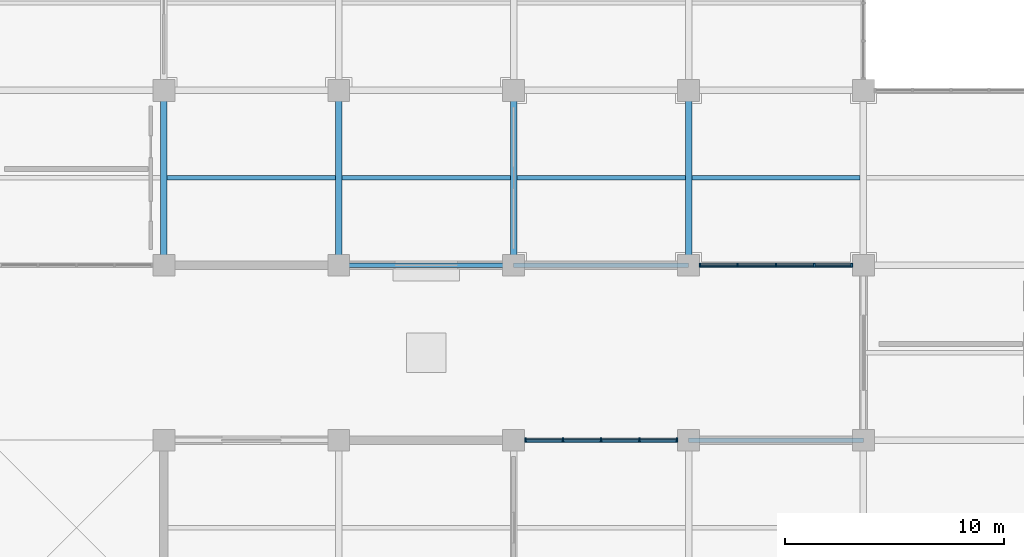
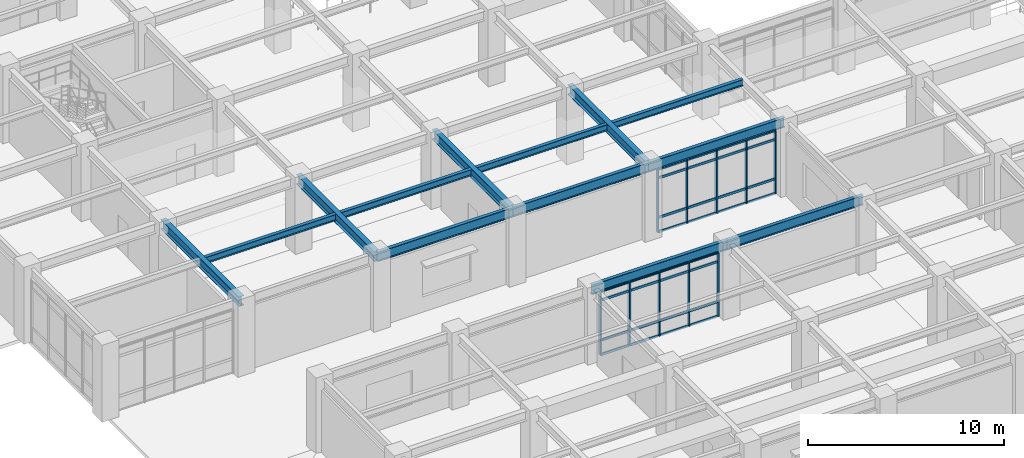
# One storey, part 9 of 117: 42 members, 13 beams, 2 elements without a shape of their own.
"""IFC4 building model written with IfcOpenShell, lengths in metres."""

import ifcopenshell
import ifcopenshell.guid

model = None  # the IFC model being written
_history = None  # IfcOwnerHistory: only IFC2X3 demands one
_inside = {}  # id of a spatial element -> (the spatial element, [elements in it])
_under = {}  # id of a project, library or spatial element -> (it, [spatial elements below it])
_declared = {}  # id of a project -> (the project, [libraries it declares])
_typed = {}  # id of a type object -> (the type object, [elements of that type])
_made_of = {}  # id of a material, layer set ... -> (it, [elements and type objects made of it])


def new_model(schema):
    """Start an empty IFC model of exactly this schema.

    Asked for "IFC4X3", IfcOpenShell would pick the latest addendum, in which some entities
    have other attributes; the version numbers below select the first issue.
    IFC2X3 requires an IfcOwnerHistory on every rooted entity: one is made here for all.
    """
    global model, _history
    if schema == "IFC4X3":
        model = ifcopenshell.file(schema_version=(4, 3, 0, 0))
    else:
        model = ifcopenshell.file(schema=schema)
    _inside.clear()
    _under.clear()
    _declared.clear()
    _typed.clear()
    _made_of.clear()
    _history = None
    if model.schema == "IFC2X3":
        org = make("IfcOrganization", Name="unknown")
        user = make(
            "IfcPersonAndOrganization",
            ThePerson=make("IfcPerson", FamilyName="unknown"),
            TheOrganization=org,
        )
        app = make(
            "IfcApplication",
            ApplicationDeveloper=org,
            Version="unknown",
            ApplicationFullName="unknown",
            ApplicationIdentifier="unknown",
        )
        _history = make(
            "IfcOwnerHistory",
            OwningUser=user,
            OwningApplication=app,
            ChangeAction="ADDED",
            CreationDate=0,
        )
    return model


def make(cls, **values):
    """One entity of the class cls with the attributes given. An attribute that is None is left unset."""
    return model.create_entity(
        cls, **{name: value for name, value in values.items() if value is not None}
    )


def rooted(cls, **values):
    """An entity with a GlobalId (a new one), such as an element, a storey or a relation."""
    return make(cls, GlobalId=ifcopenshell.guid.new(), OwnerHistory=_history, **values)


def si_unit(unit_type, name, prefix=None):
    """IfcSIUnit, for example si_unit("LENGTHUNIT", "METRE", prefix="MILLI")."""
    return make("IfcSIUnit", UnitType=unit_type, Prefix=prefix, Name=name)


def assignment(units):
    """IfcUnitAssignment: the units of a project."""
    return None if units is None else make("IfcUnitAssignment", Units=units)


def point(xyz):
    """IfcCartesianPoint."""
    return None if xyz is None else make("IfcCartesianPoint", Coordinates=xyz)


def direction(xyz):
    """IfcDirection."""
    return None if xyz is None else make("IfcDirection", DirectionRatios=xyz)


def frame(location, z_axis=None, x_axis=None):
    """IfcAxis2Placement3D, a coordinate frame: its origin and axes. An axis left out is left unset."""
    return make(
        "IfcAxis2Placement3D",
        Location=point(location),
        Axis=direction(z_axis),
        RefDirection=direction(x_axis),
    )


def frame_2d(location, x_axis=None):
    """IfcAxis2Placement2D, a coordinate frame in the plane: its origin and x axis."""
    return make(
        "IfcAxis2Placement2D", Location=point(location), RefDirection=direction(x_axis)
    )


def origin():
    """The frame at (0, 0, 0) with its axes left unset."""
    return frame((0.0, 0.0, 0.0))


def origin_2d():
    """The frame at (0, 0) in the plane with its x axis left unset."""
    return frame_2d((0.0, 0.0))


def place(relative_to, where):
    """IfcLocalPlacement: puts the frame where relative to a parent placement (None: the world)."""
    return make(
        "IfcLocalPlacement", PlacementRelTo=relative_to, RelativePlacement=where
    )


def context(
    kind, dimensions, precision=None, world=None, true_north=None, identifier=None
):
    """IfcGeometricRepresentationContext, for example the 3D "Model" context."""
    return make(
        "IfcGeometricRepresentationContext",
        ContextIdentifier=identifier,
        ContextType=kind,
        CoordinateSpaceDimension=dimensions,
        Precision=precision,
        WorldCoordinateSystem=world,
        TrueNorth=true_north,
    )


def subcontext(parent, identifier, kind, view, scale=None):
    """IfcGeometricRepresentationSubContext, for example "Body" below "Model"."""
    return make(
        "IfcGeometricRepresentationSubContext",
        ContextIdentifier=identifier,
        ContextType=kind,
        ParentContext=parent,
        TargetScale=scale,
        TargetView=view,
    )


def project(units=None, contexts=None):
    """IfcProject with its units and contexts."""
    return rooted(
        "IfcProject",
        Name="project",
        RepresentationContexts=contexts,
        UnitsInContext=assignment(units),
    )


def spatial(cls, under=None, at=None, **own):
    """A site, building, storey or space (cls), placed at a placement, below another one or the project."""
    s = rooted(cls, ObjectPlacement=at, **own)
    if under is not None:
        _under.setdefault(under.id(), (under, []))[1].append(s)
    return s


def profile(cls, at=None, kind="AREA", **sizes):
    """A parametric profile (cls). Its sizes go by their IFC names, for example OverallWidth=200.0."""
    return make(cls, ProfileType=kind, Position=at, **sizes)


def rectangle(**sizes):
    """IfcRectangleProfileDef."""
    return profile("IfcRectangleProfileDef", **sizes)


def i_section(**sizes):
    """IfcIShapeProfileDef."""
    return profile("IfcIShapeProfileDef", **sizes)


def extrude(swept, where, along, depth):
    """IfcExtrudedAreaSolid: the profile swept, set in the frame where, extruded along a direction by depth."""
    return make(
        "IfcExtrudedAreaSolid",
        SweptArea=swept,
        Position=where,
        ExtrudedDirection=direction(along),
        Depth=depth,
    )


def shape(context_of_items, identifier, shape_type, items):
    """IfcShapeRepresentation: the items that make up one representation, for example the "Body"."""
    return make(
        "IfcShapeRepresentation",
        ContextOfItems=context_of_items,
        RepresentationIdentifier=identifier,
        RepresentationType=shape_type,
        Items=items,
    )


def material(Name=None, Category=None):
    """IfcMaterial."""
    return make("IfcMaterial", Name=Name, Category=Category)


def layer(
    of_material, thickness, ventilated=None, Name=None, Category=None, Priority=None
):
    """IfcMaterialLayer: one layer of a wall or slab, of a material (None: an air gap)."""
    return make(
        "IfcMaterialLayer",
        Material=of_material,
        LayerThickness=thickness,
        IsVentilated=ventilated,
        Name=Name,
        Category=Category,
        Priority=Priority,
    )


def layer_set(layers, Name=None):
    """IfcMaterialLayerSet."""
    return make("IfcMaterialLayerSet", MaterialLayers=layers, LayerSetName=Name)


def material_profile(
    of_material, cross_section, Name=None, Category=None, Priority=None
):
    """IfcMaterialProfile: a cross section and its material."""
    return make(
        "IfcMaterialProfile",
        Name=Name,
        Material=of_material,
        Profile=cross_section,
        Priority=Priority,
        Category=Category,
    )


def profile_set(profiles, Name=None, composite=None):
    """IfcMaterialProfileSet."""
    return make(
        "IfcMaterialProfileSet",
        Name=Name,
        MaterialProfiles=profiles,
        CompositeProfile=composite,
    )


def made_of(thing, what):
    """Note that an element or type object is made of a material, layer set ...; save() writes the relation."""
    if what is not None:
        _made_of.setdefault(what.id(), (what, []))[1].append(thing)
    return thing


def type_object(cls, material=None, **own):
    """A type object (cls), such as IfcWallType, which elements share."""
    return made_of(rooted(cls, **own), material)


def element(
    cls,
    number,
    at=None,
    inside=None,
    cuts=None,
    type_object=None,
    material=None,
    context=None,
    identifier="Body",
    shape_type=None,
    held_by="IfcProductDefinitionShape",
    body=None,
    shapes=None,
    **own,
):
    """One element of the class cls, such as IfcWall. Its Tag is "e" and its number.

    at: its placement. inside: the storey or other place that contains it. cuts: it is an
    opening in that element (IfcRelVoidsElement). A single representation is given by context,
    identifier, shape_type and body (its items); several are given by shapes. held_by: the class
    of the entity that holds the representations. save() writes the other relations.
    """
    e = rooted(cls, Tag="e%d" % number, ObjectPlacement=at, **own)
    if body is not None:
        shapes = [shape(context, identifier, shape_type, body)]
    if shapes is not None:
        e.Representation = make(held_by, Representations=shapes)
    if inside is not None:
        _inside.setdefault(inside.id(), (inside, []))[1].append(e)
    if cuts is not None:
        rooted(
            "IfcRelVoidsElement", RelatingBuildingElement=cuts, RelatedOpeningElement=e
        )
    if type_object is not None:
        _typed.setdefault(type_object.id(), (type_object, []))[1].append(e)
    return made_of(e, material)


def aggregate(whole, parts):
    """IfcRelAggregates: a whole, such as a stair, and the parts it consists of."""
    return rooted("IfcRelAggregates", RelatingObject=whole, RelatedObjects=parts)


def save(model, path):
    """Write the relations noted so far, then the file.

    IfcRelAggregates (storeys below a building ...), IfcRelContainedInSpatialStructure (elements
    in a storey), IfcRelDefinesByType, IfcRelAssociatesMaterial and IfcRelDeclares: one each for
    every whole, place, type object, material and project.
    """
    for whole, parts in _under.values():
        aggregate(whole, parts)
    for where, things in _inside.values():
        rooted(
            "IfcRelContainedInSpatialStructure",
            RelatedElements=things,
            RelatingStructure=where,
        )
    for kind, things in _typed.values():
        rooted("IfcRelDefinesByType", RelatedObjects=things, RelatingType=kind)
    for what, things in _made_of.values():
        rooted("IfcRelAssociatesMaterial", RelatedObjects=things, RelatingMaterial=what)
    for by, libraries in _declared.values():
        rooted("IfcRelDeclares", RelatingContext=by, RelatedDefinitions=libraries)
    model.write(path)


model = new_model("IFC4")

# Units and contexts
model_context = context("Model", 3, precision=1e-05, world=origin(), true_north=direction((0.0, 1.0)))
body_context = subcontext(model_context, "Body", "Model", "MODEL_VIEW")
ifc_project = project(units=[si_unit("LENGTHUNIT", "METRE"), si_unit("AREAUNIT", "SQUARE_METRE"), si_unit("VOLUMEUNIT", "CUBIC_METRE"), si_unit("PLANEANGLEUNIT", "RADIAN"), si_unit("MASSUNIT", "GRAM", prefix="KILO")], contexts=[model_context])

# Site, building, storey
site_placement = place(None, origin())
site = spatial("IfcSite", under=ifc_project, at=site_placement, CompositionType="ELEMENT")
building_placement = place(site_placement, origin())
building = spatial("IfcBuilding", under=site, at=building_placement, Name="Haebicheon Civic Stadium", CompositionType="ELEMENT")
storey_placement = place(building_placement, frame((0.0, 0.0, 4.800048828125)))
storey = spatial("IfcBuildingStorey", under=building, at=storey_placement, Name="L02", CompositionType="ELEMENT", Elevation=4.800048828125)

# Beams
ifc_material_1 = material(Name="Steel SM355 (S355)", Category="steel")
ifc_material_profile_1 = material_profile(ifc_material_1, i_section(OverallWidth=0.300048828125, OverallDepth=0.60009765625, WebThickness=0.011962890625, FlangeThickness=0.02001953125, at=origin_2d()), Name="H-600x300x12x20")
ifc_profile_set_1 = profile_set([ifc_material_profile_1], Name="Steel SM355 (S355)")
beam_type_1 = type_object("IfcBeamType", Name="BM-ST-H600A", PredefinedType="BEAM", material=ifc_profile_set_1)
for number, where, z_axis, x_axis, name in (
    (1, (32.0, 24.0, 4.280029296875), (0.0, 1.0, 0.0), (-1.0, 0.0, 0.0), "L02 girder 5/D-E"),
    (2, (40.0, 24.0, 4.280029296875), (0.0, 1.0, 0.0), (-1.0, 0.0, 0.0), "L02 girder 6/D-E"),
    (3, (48.0, 24.0, 4.280029296875), (0.0, 1.0, 0.0), (-1.0, 0.0, 0.0), "L02 girder 7/D-E"),
    (4, (56.0, 24.0, 4.280029296875), (0.0, 1.0, 0.0), (-1.0, 0.0, 0.0), "L02 girder 8/D-E"),
):
    element("IfcBeam", number, at=place(storey_placement, frame(where, z_axis=z_axis, x_axis=x_axis)), inside=storey, type_object=beam_type_1, material=ifc_profile_set_1, Name=name, PredefinedType="BEAM", context=body_context, shape_type="SweptSolid", body=[
        extrude(i_section(OverallWidth=0.300048828125, OverallDepth=0.60009765625, WebThickness=0.011962890625, FlangeThickness=0.02001953125, at=origin_2d()), origin(), (0.0, 0.0, 1.0), 8.0),
    ])

# Curtain wall, members
ifc_material_2 = material(Name="Anodised aluminium and laminated glass", Category="aluminium")
ifc_layer_1 = layer(ifc_material_2, 0.179931640625, Name="Anodised aluminium and laminated glass")
ifc_layer_set_1 = layer_set([ifc_layer_1], Name="Anodised aluminium and laminated glass")
curtain_wall_type_1 = type_object("IfcCurtainWallType", Name="CW-7000x3950", PredefinedType="NOTDEFINED", material=ifc_layer_set_1)
curtain_wall_1_placement = place(storey_placement, origin())
curtain_wall_1 = element("IfcCurtainWall", 5, at=curtain_wall_1_placement, inside=storey, type_object=curtain_wall_type_1, material=ifc_layer_set_1, Name="L02 unitised curtain wall 041", PredefinedType="NOTDEFINED")
ifc_material_3 = material(Name="Anodised aluminium 6063-T6", Category="aluminium")
ifc_material_profile_2 = material_profile(ifc_material_3, rectangle(XDim=0.070068359375, YDim=0.199951171875, at=origin_2d()), Name="ALU-MULL-70x200")
ifc_profile_set_2 = profile_set([ifc_material_profile_2], Name="Anodised aluminium 6063-T6")
member_type_1 = type_object("IfcMemberType", Name="CWM-200x70", PredefinedType="MULLION", material=ifc_profile_set_2)
member_1_placement = place(storey_placement, frame((48.534912109375, 16.0, 0.0), z_axis=(0.0, 0.0, 1.0), x_axis=(1.0, 0.0, 0.0)))
member_1 = element("IfcMember", 6, at=member_1_placement, type_object=member_type_1, material=ifc_profile_set_2, Name="CW-L02-041 vertical mullion 1", PredefinedType="MULLION", context=body_context, shape_type="SweptSolid", body=[
    extrude(rectangle(XDim=0.070068359375, YDim=0.199951171875, at=origin_2d()), origin(), (0.0, 0.0, 1.0), 3.949951171875),
])
member_2_placement = place(storey_placement, frame((50.25, 16.0, 0.0), z_axis=(0.0, 0.0, 1.0), x_axis=(1.0, 0.0, 0.0)))
member_2 = element("IfcMember", 7, at=member_2_placement, type_object=member_type_1, material=ifc_profile_set_2, Name="CW-L02-041 vertical mullion 2", PredefinedType="MULLION", context=body_context, shape_type="SweptSolid", body=[
    extrude(rectangle(XDim=0.070068359375, YDim=0.199951171875, at=origin_2d()), origin(), (0.0, 0.0, 1.0), 3.949951171875),
])
member_3_placement = place(storey_placement, frame((52.0, 16.0, 0.0), z_axis=(0.0, 0.0, 1.0), x_axis=(1.0, 0.0, 0.0)))
member_3 = element("IfcMember", 8, at=member_3_placement, type_object=member_type_1, material=ifc_profile_set_2, Name="CW-L02-041 vertical mullion 3", PredefinedType="MULLION", context=body_context, shape_type="SweptSolid", body=[
    extrude(rectangle(XDim=0.070068359375, YDim=0.199951171875, at=origin_2d()), origin(), (0.0, 0.0, 1.0), 3.949951171875),
])
member_4_placement = place(storey_placement, frame((53.75, 16.0, 0.0), z_axis=(0.0, 0.0, 1.0), x_axis=(1.0, 0.0, 0.0)))
member_4 = element("IfcMember", 9, at=member_4_placement, type_object=member_type_1, material=ifc_profile_set_2, Name="CW-L02-041 vertical mullion 4", PredefinedType="MULLION", context=body_context, shape_type="SweptSolid", body=[
    extrude(rectangle(XDim=0.070068359375, YDim=0.199951171875, at=origin_2d()), origin(), (0.0, 0.0, 1.0), 3.949951171875),
])
member_5_placement = place(storey_placement, frame((55.465087890625, 16.0, 0.0), z_axis=(0.0, 0.0, 1.0), x_axis=(1.0, 0.0, 0.0)))
member_5 = element("IfcMember", 10, at=member_5_placement, type_object=member_type_1, material=ifc_profile_set_2, Name="CW-L02-041 vertical mullion 5", PredefinedType="MULLION", context=body_context, shape_type="SweptSolid", body=[
    extrude(rectangle(XDim=0.070068359375, YDim=0.199951171875, at=origin_2d()), origin(), (0.0, 0.0, 1.0), 3.949951171875),
])

ifc_material_4 = material(Name="Anodised aluminium and laminated glass", Category="aluminium")
ifc_layer_2 = layer(ifc_material_4, 0.179931640625, Name="Anodised aluminium and laminated glass")
ifc_layer_set_2 = layer_set([ifc_layer_2], Name="Anodised aluminium and laminated glass")
curtain_wall_type_2 = type_object("IfcCurtainWallType", Name="CW-7000x3910", PredefinedType="NOTDEFINED", material=ifc_layer_set_2)
curtain_wall_2_placement = place(storey_placement, origin())
curtain_wall_2 = element("IfcCurtainWall", 11, at=curtain_wall_2_placement, inside=storey, type_object=curtain_wall_type_2, material=ifc_layer_set_2, Name="L02 unitised curtain wall 042", PredefinedType="NOTDEFINED")
member_6_placement = place(storey_placement, frame((56.534912109375, 24.0, 0.0), z_axis=(0.0, 0.0, 1.0), x_axis=(1.0, 0.0, 0.0)))
member_6 = element("IfcMember", 12, at=member_6_placement, type_object=member_type_1, material=ifc_profile_set_2, Name="CW-L02-042 vertical mullion 1", PredefinedType="MULLION", context=body_context, shape_type="SweptSolid", body=[
    extrude(rectangle(XDim=0.070068359375, YDim=0.199951171875, at=origin_2d()), origin(), (0.0, 0.0, 1.0), 3.909912109375),
])
member_7_placement = place(storey_placement, frame((58.25, 24.0, 0.0), z_axis=(0.0, 0.0, 1.0), x_axis=(1.0, 0.0, 0.0)))
member_7 = element("IfcMember", 13, at=member_7_placement, type_object=member_type_1, material=ifc_profile_set_2, Name="CW-L02-042 vertical mullion 2", PredefinedType="MULLION", context=body_context, shape_type="SweptSolid", body=[
    extrude(rectangle(XDim=0.070068359375, YDim=0.199951171875, at=origin_2d()), origin(), (0.0, 0.0, 1.0), 3.909912109375),
])
member_8_placement = place(storey_placement, frame((60.0, 24.0, 0.0), z_axis=(0.0, 0.0, 1.0), x_axis=(1.0, 0.0, 0.0)))
member_8 = element("IfcMember", 14, at=member_8_placement, type_object=member_type_1, material=ifc_profile_set_2, Name="CW-L02-042 vertical mullion 3", PredefinedType="MULLION", context=body_context, shape_type="SweptSolid", body=[
    extrude(rectangle(XDim=0.070068359375, YDim=0.199951171875, at=origin_2d()), origin(), (0.0, 0.0, 1.0), 3.909912109375),
])
member_9_placement = place(storey_placement, frame((61.75, 24.0, 0.0), z_axis=(0.0, 0.0, 1.0), x_axis=(1.0, 0.0, 0.0)))
member_9 = element("IfcMember", 15, at=member_9_placement, type_object=member_type_1, material=ifc_profile_set_2, Name="CW-L02-042 vertical mullion 4", PredefinedType="MULLION", context=body_context, shape_type="SweptSolid", body=[
    extrude(rectangle(XDim=0.070068359375, YDim=0.199951171875, at=origin_2d()), origin(), (0.0, 0.0, 1.0), 3.909912109375),
])
member_10_placement = place(storey_placement, frame((63.465087890625, 24.0, 0.0), z_axis=(0.0, 0.0, 1.0), x_axis=(1.0, 0.0, 0.0)))
member_10 = element("IfcMember", 16, at=member_10_placement, type_object=member_type_1, material=ifc_profile_set_2, Name="CW-L02-042 vertical mullion 5", PredefinedType="MULLION", context=body_context, shape_type="SweptSolid", body=[
    extrude(rectangle(XDim=0.070068359375, YDim=0.199951171875, at=origin_2d()), origin(), (0.0, 0.0, 1.0), 3.909912109375),
])

# Member
ifc_material_5 = material(Name="Anodised aluminium 6063-T6", Category="aluminium")
ifc_material_profile_3 = material_profile(ifc_material_5, rectangle(XDim=0.070068359375, YDim=0.14990234375, at=origin_2d()), Name="ALU-TRAN-70x150")
ifc_profile_set_3 = profile_set([ifc_material_profile_3], Name="Anodised aluminium 6063-T6")
member_type_2 = type_object("IfcMemberType", Name="CWT-150x70", PredefinedType="NOTDEFINED", material=ifc_profile_set_3)
member_11_placement = place(storey_placement, frame((48.570068359375, 16.0, 0.0), z_axis=(1.0, 0.0, 0.0), x_axis=(0.0, 1.0, 0.0)))
member_11 = element("IfcMember", 17, at=member_11_placement, type_object=member_type_2, material=ifc_profile_set_3, Name="CW-L02-041 horizontal transom 1.1", ObjectType="TRANSOM", PredefinedType="USERDEFINED", context=body_context, shape_type="SweptSolid", body=[
    extrude(rectangle(XDim=0.070068359375, YDim=0.14990234375, at=origin_2d()), origin(), (0.0, 0.0, 1.0), 1.64501953125),
])

member_12_placement = place(storey_placement, frame((48.570068359375, 16.0, 0.89990234375), z_axis=(1.0, 0.0, 0.0), x_axis=(0.0, 1.0, 0.0)))
member_12 = element("IfcMember", 18, at=member_12_placement, type_object=member_type_2, material=ifc_profile_set_3, Name="CW-L02-041 horizontal transom 1.2", ObjectType="TRANSOM", PredefinedType="USERDEFINED", context=body_context, shape_type="SweptSolid", body=[
    extrude(rectangle(XDim=0.070068359375, YDim=0.14990234375, at=origin_2d()), origin(), (0.0, 0.0, 1.0), 1.64501953125),
])

member_13_placement = place(storey_placement, frame((48.570068359375, 16.0, 3.39990234375), z_axis=(1.0, 0.0, 0.0), x_axis=(0.0, 1.0, 0.0)))
member_13 = element("IfcMember", 19, at=member_13_placement, type_object=member_type_2, material=ifc_profile_set_3, Name="CW-L02-041 horizontal transom 1.3", ObjectType="TRANSOM", PredefinedType="USERDEFINED", context=body_context, shape_type="SweptSolid", body=[
    extrude(rectangle(XDim=0.070068359375, YDim=0.14990234375, at=origin_2d()), origin(), (0.0, 0.0, 1.0), 1.64501953125),
])

member_14_placement = place(storey_placement, frame((48.570068359375, 16.0, 3.949951171875), z_axis=(1.0, 0.0, 0.0), x_axis=(0.0, 1.0, 0.0)))
member_14 = element("IfcMember", 20, at=member_14_placement, type_object=member_type_2, material=ifc_profile_set_3, Name="CW-L02-041 horizontal transom 1.4", ObjectType="TRANSOM", PredefinedType="USERDEFINED", context=body_context, shape_type="SweptSolid", body=[
    extrude(rectangle(XDim=0.070068359375, YDim=0.14990234375, at=origin_2d()), origin(), (0.0, 0.0, 1.0), 1.64501953125),
])

member_15_placement = place(storey_placement, frame((50.284912109375, 16.0, 0.0), z_axis=(1.0, 0.0, 0.0), x_axis=(0.0, 1.0, 0.0)))
member_15 = element("IfcMember", 21, at=member_15_placement, type_object=member_type_2, material=ifc_profile_set_3, Name="CW-L02-041 horizontal transom 2.1", ObjectType="TRANSOM", PredefinedType="USERDEFINED", context=body_context, shape_type="SweptSolid", body=[
    extrude(rectangle(XDim=0.070068359375, YDim=0.14990234375, at=origin_2d()), origin(), (0.0, 0.0, 1.0), 1.68017578125),
])

member_16_placement = place(storey_placement, frame((50.284912109375, 16.0, 0.89990234375), z_axis=(1.0, 0.0, 0.0), x_axis=(0.0, 1.0, 0.0)))
member_16 = element("IfcMember", 22, at=member_16_placement, type_object=member_type_2, material=ifc_profile_set_3, Name="CW-L02-041 horizontal transom 2.2", ObjectType="TRANSOM", PredefinedType="USERDEFINED", context=body_context, shape_type="SweptSolid", body=[
    extrude(rectangle(XDim=0.070068359375, YDim=0.14990234375, at=origin_2d()), origin(), (0.0, 0.0, 1.0), 1.68017578125),
])

member_17_placement = place(storey_placement, frame((50.284912109375, 16.0, 3.39990234375), z_axis=(1.0, 0.0, 0.0), x_axis=(0.0, 1.0, 0.0)))
member_17 = element("IfcMember", 23, at=member_17_placement, type_object=member_type_2, material=ifc_profile_set_3, Name="CW-L02-041 horizontal transom 2.3", ObjectType="TRANSOM", PredefinedType="USERDEFINED", context=body_context, shape_type="SweptSolid", body=[
    extrude(rectangle(XDim=0.070068359375, YDim=0.14990234375, at=origin_2d()), origin(), (0.0, 0.0, 1.0), 1.68017578125),
])

member_18_placement = place(storey_placement, frame((50.284912109375, 16.0, 3.949951171875), z_axis=(1.0, 0.0, 0.0), x_axis=(0.0, 1.0, 0.0)))
member_18 = element("IfcMember", 24, at=member_18_placement, type_object=member_type_2, material=ifc_profile_set_3, Name="CW-L02-041 horizontal transom 2.4", ObjectType="TRANSOM", PredefinedType="USERDEFINED", context=body_context, shape_type="SweptSolid", body=[
    extrude(rectangle(XDim=0.070068359375, YDim=0.14990234375, at=origin_2d()), origin(), (0.0, 0.0, 1.0), 1.68017578125),
])

member_19_placement = place(storey_placement, frame((52.034912109375, 16.0, 0.0), z_axis=(1.0, 0.0, 0.0), x_axis=(0.0, 1.0, 0.0)))
member_19 = element("IfcMember", 25, at=member_19_placement, type_object=member_type_2, material=ifc_profile_set_3, Name="CW-L02-041 horizontal transom 3.1", ObjectType="TRANSOM", PredefinedType="USERDEFINED", context=body_context, shape_type="SweptSolid", body=[
    extrude(rectangle(XDim=0.070068359375, YDim=0.14990234375, at=origin_2d()), origin(), (0.0, 0.0, 1.0), 1.68017578125),
])

member_20_placement = place(storey_placement, frame((52.034912109375, 16.0, 0.89990234375), z_axis=(1.0, 0.0, 0.0), x_axis=(0.0, 1.0, 0.0)))
member_20 = element("IfcMember", 26, at=member_20_placement, type_object=member_type_2, material=ifc_profile_set_3, Name="CW-L02-041 horizontal transom 3.2", ObjectType="TRANSOM", PredefinedType="USERDEFINED", context=body_context, shape_type="SweptSolid", body=[
    extrude(rectangle(XDim=0.070068359375, YDim=0.14990234375, at=origin_2d()), origin(), (0.0, 0.0, 1.0), 1.68017578125),
])

member_21_placement = place(storey_placement, frame((52.034912109375, 16.0, 3.39990234375), z_axis=(1.0, 0.0, 0.0), x_axis=(0.0, 1.0, 0.0)))
member_21 = element("IfcMember", 27, at=member_21_placement, type_object=member_type_2, material=ifc_profile_set_3, Name="CW-L02-041 horizontal transom 3.3", ObjectType="TRANSOM", PredefinedType="USERDEFINED", context=body_context, shape_type="SweptSolid", body=[
    extrude(rectangle(XDim=0.070068359375, YDim=0.14990234375, at=origin_2d()), origin(), (0.0, 0.0, 1.0), 1.68017578125),
])

member_22_placement = place(storey_placement, frame((52.034912109375, 16.0, 3.949951171875), z_axis=(1.0, 0.0, 0.0), x_axis=(0.0, 1.0, 0.0)))
member_22 = element("IfcMember", 28, at=member_22_placement, type_object=member_type_2, material=ifc_profile_set_3, Name="CW-L02-041 horizontal transom 3.4", ObjectType="TRANSOM", PredefinedType="USERDEFINED", context=body_context, shape_type="SweptSolid", body=[
    extrude(rectangle(XDim=0.070068359375, YDim=0.14990234375, at=origin_2d()), origin(), (0.0, 0.0, 1.0), 1.68017578125),
])

member_23_placement = place(storey_placement, frame((53.784912109375, 16.0, 0.0), z_axis=(1.0, 0.0, 0.0), x_axis=(0.0, 1.0, 0.0)))
member_23 = element("IfcMember", 29, at=member_23_placement, type_object=member_type_2, material=ifc_profile_set_3, Name="CW-L02-041 horizontal transom 4.1", ObjectType="TRANSOM", PredefinedType="USERDEFINED", context=body_context, shape_type="SweptSolid", body=[
    extrude(rectangle(XDim=0.070068359375, YDim=0.14990234375, at=origin_2d()), origin(), (0.0, 0.0, 1.0), 1.64501953125),
])

member_24_placement = place(storey_placement, frame((53.784912109375, 16.0, 0.89990234375), z_axis=(1.0, 0.0, 0.0), x_axis=(0.0, 1.0, 0.0)))
member_24 = element("IfcMember", 30, at=member_24_placement, type_object=member_type_2, material=ifc_profile_set_3, Name="CW-L02-041 horizontal transom 4.2", ObjectType="TRANSOM", PredefinedType="USERDEFINED", context=body_context, shape_type="SweptSolid", body=[
    extrude(rectangle(XDim=0.070068359375, YDim=0.14990234375, at=origin_2d()), origin(), (0.0, 0.0, 1.0), 1.64501953125),
])

member_25_placement = place(storey_placement, frame((53.784912109375, 16.0, 3.39990234375), z_axis=(1.0, 0.0, 0.0), x_axis=(0.0, 1.0, 0.0)))
member_25 = element("IfcMember", 31, at=member_25_placement, type_object=member_type_2, material=ifc_profile_set_3, Name="CW-L02-041 horizontal transom 4.3", ObjectType="TRANSOM", PredefinedType="USERDEFINED", context=body_context, shape_type="SweptSolid", body=[
    extrude(rectangle(XDim=0.070068359375, YDim=0.14990234375, at=origin_2d()), origin(), (0.0, 0.0, 1.0), 1.64501953125),
])

member_26_placement = place(storey_placement, frame((53.784912109375, 16.0, 3.949951171875), z_axis=(1.0, 0.0, 0.0), x_axis=(0.0, 1.0, 0.0)))
member_26 = element("IfcMember", 32, at=member_26_placement, type_object=member_type_2, material=ifc_profile_set_3, Name="CW-L02-041 horizontal transom 4.4", ObjectType="TRANSOM", PredefinedType="USERDEFINED", context=body_context, shape_type="SweptSolid", body=[
    extrude(rectangle(XDim=0.070068359375, YDim=0.14990234375, at=origin_2d()), origin(), (0.0, 0.0, 1.0), 1.64501953125),
])

aggregate(curtain_wall_1, [member_1, member_2, member_3, member_4, member_5, member_11, member_12, member_13, member_14, member_15, member_16, member_17, member_18, member_19, member_20, member_21, member_22, member_23, member_24, member_25, member_26])

member_27_placement = place(storey_placement, frame((56.570068359375, 24.0, 0.0), z_axis=(1.0, 0.0, 0.0), x_axis=(0.0, 1.0, 0.0)))
member_27 = element("IfcMember", 33, at=member_27_placement, type_object=member_type_2, material=ifc_profile_set_3, Name="CW-L02-042 horizontal transom 1.1", ObjectType="TRANSOM", PredefinedType="USERDEFINED", context=body_context, shape_type="SweptSolid", body=[
    extrude(rectangle(XDim=0.070068359375, YDim=0.14990234375, at=origin_2d()), origin(), (0.0, 0.0, 1.0), 1.64501953125),
])

member_28_placement = place(storey_placement, frame((56.570068359375, 24.0, 0.89990234375), z_axis=(1.0, 0.0, 0.0), x_axis=(0.0, 1.0, 0.0)))
member_28 = element("IfcMember", 34, at=member_28_placement, type_object=member_type_2, material=ifc_profile_set_3, Name="CW-L02-042 horizontal transom 1.2", ObjectType="TRANSOM", PredefinedType="USERDEFINED", context=body_context, shape_type="SweptSolid", body=[
    extrude(rectangle(XDim=0.070068359375, YDim=0.14990234375, at=origin_2d()), origin(), (0.0, 0.0, 1.0), 1.64501953125),
])

member_29_placement = place(storey_placement, frame((56.570068359375, 24.0, 3.35986328125), z_axis=(1.0, 0.0, 0.0), x_axis=(0.0, 1.0, 0.0)))
member_29 = element("IfcMember", 35, at=member_29_placement, type_object=member_type_2, material=ifc_profile_set_3, Name="CW-L02-042 horizontal transom 1.3", ObjectType="TRANSOM", PredefinedType="USERDEFINED", context=body_context, shape_type="SweptSolid", body=[
    extrude(rectangle(XDim=0.070068359375, YDim=0.14990234375, at=origin_2d()), origin(), (0.0, 0.0, 1.0), 1.64501953125),
])

member_30_placement = place(storey_placement, frame((56.570068359375, 24.0, 3.909912109375), z_axis=(1.0, 0.0, 0.0), x_axis=(0.0, 1.0, 0.0)))
member_30 = element("IfcMember", 36, at=member_30_placement, type_object=member_type_2, material=ifc_profile_set_3, Name="CW-L02-042 horizontal transom 1.4", ObjectType="TRANSOM", PredefinedType="USERDEFINED", context=body_context, shape_type="SweptSolid", body=[
    extrude(rectangle(XDim=0.070068359375, YDim=0.14990234375, at=origin_2d()), origin(), (0.0, 0.0, 1.0), 1.64501953125),
])

member_31_placement = place(storey_placement, frame((58.284912109375, 24.0, 0.0), z_axis=(1.0, 0.0, 0.0), x_axis=(0.0, 1.0, 0.0)))
member_31 = element("IfcMember", 37, at=member_31_placement, type_object=member_type_2, material=ifc_profile_set_3, Name="CW-L02-042 horizontal transom 2.1", ObjectType="TRANSOM", PredefinedType="USERDEFINED", context=body_context, shape_type="SweptSolid", body=[
    extrude(rectangle(XDim=0.070068359375, YDim=0.14990234375, at=origin_2d()), origin(), (0.0, 0.0, 1.0), 1.68017578125),
])

member_32_placement = place(storey_placement, frame((58.284912109375, 24.0, 0.89990234375), z_axis=(1.0, 0.0, 0.0), x_axis=(0.0, 1.0, 0.0)))
member_32 = element("IfcMember", 38, at=member_32_placement, type_object=member_type_2, material=ifc_profile_set_3, Name="CW-L02-042 horizontal transom 2.2", ObjectType="TRANSOM", PredefinedType="USERDEFINED", context=body_context, shape_type="SweptSolid", body=[
    extrude(rectangle(XDim=0.070068359375, YDim=0.14990234375, at=origin_2d()), origin(), (0.0, 0.0, 1.0), 1.68017578125),
])

member_33_placement = place(storey_placement, frame((58.284912109375, 24.0, 3.35986328125), z_axis=(1.0, 0.0, 0.0), x_axis=(0.0, 1.0, 0.0)))
member_33 = element("IfcMember", 39, at=member_33_placement, type_object=member_type_2, material=ifc_profile_set_3, Name="CW-L02-042 horizontal transom 2.3", ObjectType="TRANSOM", PredefinedType="USERDEFINED", context=body_context, shape_type="SweptSolid", body=[
    extrude(rectangle(XDim=0.070068359375, YDim=0.14990234375, at=origin_2d()), origin(), (0.0, 0.0, 1.0), 1.68017578125),
])

member_34_placement = place(storey_placement, frame((58.284912109375, 24.0, 3.909912109375), z_axis=(1.0, 0.0, 0.0), x_axis=(0.0, 1.0, 0.0)))
member_34 = element("IfcMember", 40, at=member_34_placement, type_object=member_type_2, material=ifc_profile_set_3, Name="CW-L02-042 horizontal transom 2.4", ObjectType="TRANSOM", PredefinedType="USERDEFINED", context=body_context, shape_type="SweptSolid", body=[
    extrude(rectangle(XDim=0.070068359375, YDim=0.14990234375, at=origin_2d()), origin(), (0.0, 0.0, 1.0), 1.68017578125),
])

member_35_placement = place(storey_placement, frame((60.034912109375, 24.0, 0.0), z_axis=(1.0, 0.0, 0.0), x_axis=(0.0, 1.0, 0.0)))
member_35 = element("IfcMember", 41, at=member_35_placement, type_object=member_type_2, material=ifc_profile_set_3, Name="CW-L02-042 horizontal transom 3.1", ObjectType="TRANSOM", PredefinedType="USERDEFINED", context=body_context, shape_type="SweptSolid", body=[
    extrude(rectangle(XDim=0.070068359375, YDim=0.14990234375, at=origin_2d()), origin(), (0.0, 0.0, 1.0), 1.68017578125),
])

member_36_placement = place(storey_placement, frame((60.034912109375, 24.0, 0.89990234375), z_axis=(1.0, 0.0, 0.0), x_axis=(0.0, 1.0, 0.0)))
member_36 = element("IfcMember", 42, at=member_36_placement, type_object=member_type_2, material=ifc_profile_set_3, Name="CW-L02-042 horizontal transom 3.2", ObjectType="TRANSOM", PredefinedType="USERDEFINED", context=body_context, shape_type="SweptSolid", body=[
    extrude(rectangle(XDim=0.070068359375, YDim=0.14990234375, at=origin_2d()), origin(), (0.0, 0.0, 1.0), 1.68017578125),
])

member_37_placement = place(storey_placement, frame((60.034912109375, 24.0, 3.35986328125), z_axis=(1.0, 0.0, 0.0), x_axis=(0.0, 1.0, 0.0)))
member_37 = element("IfcMember", 43, at=member_37_placement, type_object=member_type_2, material=ifc_profile_set_3, Name="CW-L02-042 horizontal transom 3.3", ObjectType="TRANSOM", PredefinedType="USERDEFINED", context=body_context, shape_type="SweptSolid", body=[
    extrude(rectangle(XDim=0.070068359375, YDim=0.14990234375, at=origin_2d()), origin(), (0.0, 0.0, 1.0), 1.68017578125),
])

member_38_placement = place(storey_placement, frame((60.034912109375, 24.0, 3.909912109375), z_axis=(1.0, 0.0, 0.0), x_axis=(0.0, 1.0, 0.0)))
member_38 = element("IfcMember", 44, at=member_38_placement, type_object=member_type_2, material=ifc_profile_set_3, Name="CW-L02-042 horizontal transom 3.4", ObjectType="TRANSOM", PredefinedType="USERDEFINED", context=body_context, shape_type="SweptSolid", body=[
    extrude(rectangle(XDim=0.070068359375, YDim=0.14990234375, at=origin_2d()), origin(), (0.0, 0.0, 1.0), 1.68017578125),
])

member_39_placement = place(storey_placement, frame((61.784912109375, 24.0, 0.0), z_axis=(1.0, 0.0, 0.0), x_axis=(0.0, 1.0, 0.0)))
member_39 = element("IfcMember", 45, at=member_39_placement, type_object=member_type_2, material=ifc_profile_set_3, Name="CW-L02-042 horizontal transom 4.1", ObjectType="TRANSOM", PredefinedType="USERDEFINED", context=body_context, shape_type="SweptSolid", body=[
    extrude(rectangle(XDim=0.070068359375, YDim=0.14990234375, at=origin_2d()), origin(), (0.0, 0.0, 1.0), 1.64501953125),
])

member_40_placement = place(storey_placement, frame((61.784912109375, 24.0, 0.89990234375), z_axis=(1.0, 0.0, 0.0), x_axis=(0.0, 1.0, 0.0)))
member_40 = element("IfcMember", 46, at=member_40_placement, type_object=member_type_2, material=ifc_profile_set_3, Name="CW-L02-042 horizontal transom 4.2", ObjectType="TRANSOM", PredefinedType="USERDEFINED", context=body_context, shape_type="SweptSolid", body=[
    extrude(rectangle(XDim=0.070068359375, YDim=0.14990234375, at=origin_2d()), origin(), (0.0, 0.0, 1.0), 1.64501953125),
])

member_41_placement = place(storey_placement, frame((61.784912109375, 24.0, 3.35986328125), z_axis=(1.0, 0.0, 0.0), x_axis=(0.0, 1.0, 0.0)))
member_41 = element("IfcMember", 47, at=member_41_placement, type_object=member_type_2, material=ifc_profile_set_3, Name="CW-L02-042 horizontal transom 4.3", ObjectType="TRANSOM", PredefinedType="USERDEFINED", context=body_context, shape_type="SweptSolid", body=[
    extrude(rectangle(XDim=0.070068359375, YDim=0.14990234375, at=origin_2d()), origin(), (0.0, 0.0, 1.0), 1.64501953125),
])

member_42_placement = place(storey_placement, frame((61.784912109375, 24.0, 3.909912109375), z_axis=(1.0, 0.0, 0.0), x_axis=(0.0, 1.0, 0.0)))
member_42 = element("IfcMember", 48, at=member_42_placement, type_object=member_type_2, material=ifc_profile_set_3, Name="CW-L02-042 horizontal transom 4.4", ObjectType="TRANSOM", PredefinedType="USERDEFINED", context=body_context, shape_type="SweptSolid", body=[
    extrude(rectangle(XDim=0.070068359375, YDim=0.14990234375, at=origin_2d()), origin(), (0.0, 0.0, 1.0), 1.64501953125),
])

aggregate(curtain_wall_2, [member_6, member_7, member_8, member_9, member_10, member_27, member_28, member_29, member_30, member_31, member_32, member_33, member_34, member_35, member_36, member_37, member_38, member_39, member_40, member_41, member_42])

# Beams
ifc_material_6 = material(Name="Steel SM355 (S355)", Category="steel")
ifc_material_profile_4 = material_profile(ifc_material_6, i_section(OverallWidth=0.199951171875, OverallDepth=0.39990234375, WebThickness=0.008056640625, FlangeThickness=0.012939453125, at=origin_2d()), Name="H-400x200x8x13")
ifc_profile_set_4 = profile_set([ifc_material_profile_4], Name="Steel SM355 (S355)")
beam_type_2 = type_object("IfcBeamType", Name="JST-ST-H400", PredefinedType="JOIST", material=ifc_profile_set_4)
for number, where, z_axis, x_axis, name in (
    (49, (32.14990234375, 28.0, 4.3798828125), (1.0, 0.0, 0.0), (0.0, 1.0, 0.0), "L02 secondary joist 04-03"),
    (50, (40.14990234375, 28.0, 4.3798828125), (1.0, 0.0, 0.0), (0.0, 1.0, 0.0), "L02 secondary joist 05-03"),
    (51, (48.14990234375, 28.0, 4.3798828125), (1.0, 0.0, 0.0), (0.0, 1.0, 0.0), "L02 secondary joist 06-03"),
    (52, (56.14990234375, 28.0, 4.3798828125), (1.0, 0.0, 0.0), (0.0, 1.0, 0.0), "L02 secondary joist 07-03"),
):
    element("IfcBeam", number, at=place(storey_placement, frame(where, z_axis=z_axis, x_axis=x_axis)), inside=storey, type_object=beam_type_2, material=ifc_profile_set_4, Name=name, PredefinedType="JOIST", context=body_context, shape_type="SweptSolid", body=[
        extrude(i_section(OverallWidth=0.199951171875, OverallDepth=0.39990234375, WebThickness=0.008056640625, FlangeThickness=0.012939453125, at=origin_2d()), origin(), (0.0, 0.0, 1.0), 7.7001953125),
    ])
ifc_material_7 = material(Name="Steel SM355 (S355)", Category="steel")
ifc_material_profile_5 = material_profile(ifc_material_7, i_section(OverallWidth=0.199951171875, OverallDepth=0.60009765625, WebThickness=0.010986328125, FlangeThickness=0.01708984375, at=origin_2d()), Name="H-600x200x11x17")
ifc_profile_set_5 = profile_set([ifc_material_profile_5], Name="Steel SM355 (S355)")
beam_type_3 = type_object("IfcBeamType", Name="SPD-ST-H600B", PredefinedType="SPANDREL", material=ifc_profile_set_5)
for number, where, z_axis, x_axis, name in (
    (53, (40.0, 24.0, 4.280029296875), (1.0, 0.0, 0.0), (0.0, 1.0, 0.0), "L02 beam D/6-7"),
    (54, (48.0, 16.0, 4.280029296875), (1.0, 0.0, 0.0), (0.0, 1.0, 0.0), "L02 beam C/7-8"),
    (55, (48.0, 24.0, 4.280029296875), (1.0, 0.0, 0.0), (0.0, 1.0, 0.0), "L02 beam D/7-8"),
    (56, (56.0, 16.0, 4.280029296875), (1.0, 0.0, 0.0), (0.0, 1.0, 0.0), "L02 beam C/8-9"),
    (57, (56.0, 24.0, 4.280029296875), (1.0, 0.0, 0.0), (0.0, 1.0, 0.0), "L02 beam D/8-9"),
):
    element("IfcBeam", number, at=place(storey_placement, frame(where, z_axis=z_axis, x_axis=x_axis)), inside=storey, type_object=beam_type_3, material=ifc_profile_set_5, Name=name, PredefinedType="SPANDREL", context=body_context, shape_type="SweptSolid", body=[
        extrude(i_section(OverallWidth=0.199951171875, OverallDepth=0.60009765625, WebThickness=0.010986328125, FlangeThickness=0.01708984375, at=origin_2d()), origin(), (0.0, 0.0, 1.0), 8.0),
    ])

save(model, "model.ifc")
